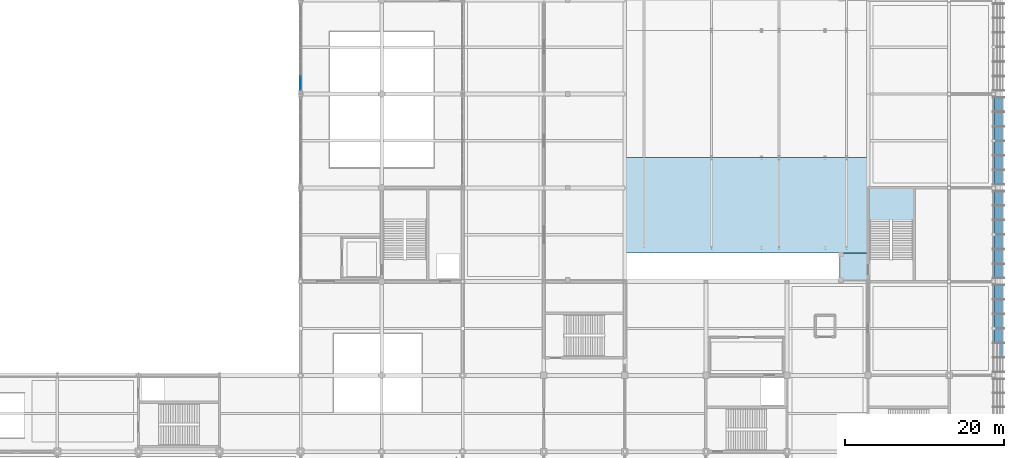
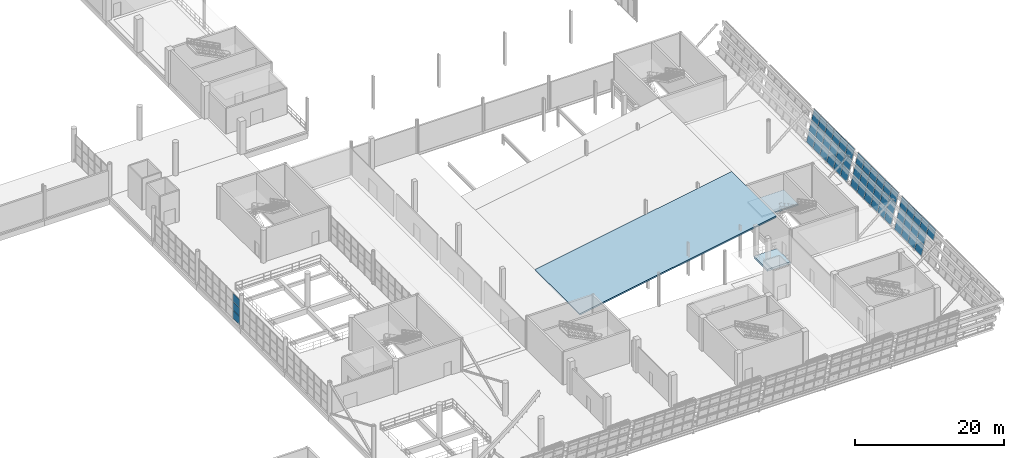
# One storey, part 116 of 175: 52 plates, 3 slabs, 5 elements without a shape of their own.
"""IFC4 building model written with IfcOpenShell, lengths in metres."""

from ifc_helpers import new_model, si_unit, direction, frame, origin, origin_2d, place, context, subcontext, project, spatial, polyline, rectangle, outline, extrude, material, layer, layer_set, type_object, element, aggregate, save


model = new_model("IFC4")

# Units and contexts
model_context = context("Model", 3, precision=1e-05, world=origin(), true_north=direction((0.0, 1.0)))
body_context = subcontext(model_context, "Body", "Model", "MODEL_VIEW")
ifc_project = project(units=[si_unit("LENGTHUNIT", "METRE"), si_unit("AREAUNIT", "SQUARE_METRE"), si_unit("VOLUMEUNIT", "CUBIC_METRE"), si_unit("PLANEANGLEUNIT", "RADIAN"), si_unit("MASSUNIT", "GRAM", prefix="KILO")], contexts=[model_context])

# Site, building, storey
site_placement = place(None, origin())
site = spatial("IfcSite", under=ifc_project, at=site_placement, CompositionType="ELEMENT")
building_placement = place(site_placement, origin())
building = spatial("IfcBuilding", under=site, at=building_placement, Name="Brelvane Convention Centre", CompositionType="ELEMENT")
storey_placement = place(building_placement, frame((0.0, 0.0, 5.39990234375)))
storey = spatial("IfcBuildingStorey", under=building, at=storey_placement, Name="L01", CompositionType="ELEMENT", Elevation=5.39990234375)

# Curtain wall, plates
ifc_material_1 = material(Name="Anodised Aluminium Alloy 6063-T6", Category="aluminium")
curtain_wall_type_1 = type_object("IfcCurtainWallType", Name="Curtain Wall CW-PLEN-E", PredefinedType="USERDEFINED", material=ifc_material_1)
curtain_wall_1_placement = place(storey_placement, origin())
curtain_wall_1 = element("IfcCurtainWall", 1, at=curtain_wall_1_placement, inside=storey, type_object=curtain_wall_type_1, Name="Curtain Wall CW-PLEN-E L01-HULL-E-L01-2", ObjectType="UNITISED", PredefinedType="USERDEFINED")
ifc_material_2 = material(Name="Double Glazed Low-E Laminated Unit")
ifc_layer_1 = layer(ifc_material_2, 0.031982421875)
ifc_layer_set_1 = layer_set([ifc_layer_1], Name="Double Glazed Low-E Laminated Unit")
plate_type_1 = type_object("IfcPlateType", Name="Curtain Panel CW-PG1", PredefinedType="CURTAIN_PANEL", material=ifc_layer_set_1)
plate_1_placement = place(storey_placement, frame((230.8134765625, 31.07080078125, 3.468505859375), z_axis=(-0.973587118463, 0.0, 0.22831583993), x_axis=(0.0, 1.0, 0.0)))
plate_1 = element("IfcPlate", 2, at=plate_1_placement, type_object=plate_type_1, Name="CW-PLEN-E panel 2.3", PredefinedType="CURTAIN_PANEL", context=body_context, shape_type="SweptSolid", body=[
    extrude(outline(polyline([(0.0, 0.0), (1.75830078125, 0.0), (1.75830078125, -1.6552933323207533), (0.0, -1.6552933323207533), (0.0, 0.0)])), origin(), (0.0, 0.0, -1.0), 0.031982421875),
])
plate_2_placement = place(storey_placement, frame((230.410888671875, 32.904052734375, 1.751708984375), z_axis=(-0.973579720105, 0.0, 0.228347385798), x_axis=(0.0, 1.0, 0.0)))
plate_2 = element("IfcPlate", 3, at=plate_2_placement, type_object=plate_type_1, Name="CW-PLEN-E panel 3.2", PredefinedType="CURTAIN_PANEL", context=body_context, shape_type="SweptSolid", body=[
    extrude(outline(polyline([(0.0, 0.0), (1.758544921875, 0.0), (1.758544921875, -1.6914162051852764), (0.0, -1.6914162051852764), (0.0, 0.0)])), origin(), (0.0, 0.0, -1.0), 0.031982421875),
])
plate_3_placement = place(storey_placement, frame((230.8134765625, 32.904052734375, 3.468505859375), z_axis=(-0.973587118463, 0.0, 0.22831583993), x_axis=(0.0, 1.0, 0.0)))
plate_3 = element("IfcPlate", 4, at=plate_3_placement, type_object=plate_type_1, Name="CW-PLEN-E panel 3.3", PredefinedType="CURTAIN_PANEL", context=body_context, shape_type="SweptSolid", body=[
    extrude(outline(polyline([(0.0, 0.0), (1.758544921875, 0.0), (1.758544921875, -1.6552933323207533), (0.0, -1.6552933323207533), (0.0, 0.0)])), origin(), (0.0, 0.0, -1.0), 0.031982421875),
])
plate_4_placement = place(storey_placement, frame((230.410888671875, 34.737548828125, 1.751708984375), z_axis=(-0.973579720105, 0.0, 0.228347385798), x_axis=(0.0, 1.0, 0.0)))
plate_4 = element("IfcPlate", 5, at=plate_4_placement, type_object=plate_type_1, Name="CW-PLEN-E panel 4.2", PredefinedType="CURTAIN_PANEL", context=body_context, shape_type="SweptSolid", body=[
    extrude(outline(polyline([(0.0, 0.0), (1.75830078125, 0.0), (1.75830078125, -1.6914162051852764), (0.0, -1.6914162051852764), (0.0, 0.0)])), origin(), (0.0, 0.0, -1.0), 0.031982421875),
])
plate_5_placement = place(storey_placement, frame((230.8134765625, 34.737548828125, 3.468505859375), z_axis=(-0.973587118463, 0.0, 0.22831583993), x_axis=(0.0, 1.0, 0.0)))
plate_5 = element("IfcPlate", 6, at=plate_5_placement, type_object=plate_type_1, Name="CW-PLEN-E panel 4.3", PredefinedType="CURTAIN_PANEL", context=body_context, shape_type="SweptSolid", body=[
    extrude(outline(polyline([(0.0, 0.0), (1.75830078125, 0.0), (1.75830078125, -1.6552933323207533), (0.0, -1.6552933323207533), (0.0, 0.0)])), origin(), (0.0, 0.0, -1.0), 0.031982421875),
])
plate_6_placement = place(storey_placement, frame((230.410888671875, 36.57080078125, 1.751708984375), z_axis=(-0.973579720105, 0.0, 0.228347385798), x_axis=(0.0, 1.0, 0.0)))
plate_6 = element("IfcPlate", 7, at=plate_6_placement, type_object=plate_type_1, Name="CW-PLEN-E panel 5.2", PredefinedType="CURTAIN_PANEL", context=body_context, shape_type="SweptSolid", body=[
    extrude(outline(polyline([(0.0, 0.0), (1.75830078125, 0.0), (1.75830078125, -1.6914162051852764), (0.0, -1.6914162051852764), (0.0, 0.0)])), origin(), (0.0, 0.0, -1.0), 0.031982421875),
])
plate_7_placement = place(storey_placement, frame((230.8134765625, 36.57080078125, 3.468505859375), z_axis=(-0.973587118463, 0.0, 0.22831583993), x_axis=(0.0, 1.0, 0.0)))
plate_7 = element("IfcPlate", 8, at=plate_7_placement, type_object=plate_type_1, Name="CW-PLEN-E panel 5.3", PredefinedType="CURTAIN_PANEL", context=body_context, shape_type="SweptSolid", body=[
    extrude(outline(polyline([(0.0, 0.0), (1.75830078125, 0.0), (1.75830078125, -1.6552933323207533), (0.0, -1.6552933323207533), (0.0, 0.0)])), origin(), (0.0, 0.0, -1.0), 0.031982421875),
])
plate_8_placement = place(storey_placement, frame((230.410888671875, 38.404052734375, 1.751708984375), z_axis=(-0.973579720105, 0.0, 0.228347385798), x_axis=(0.0, 1.0, 0.0)))
plate_8 = element("IfcPlate", 9, at=plate_8_placement, type_object=plate_type_1, Name="CW-PLEN-E panel 6.2", PredefinedType="CURTAIN_PANEL", context=body_context, shape_type="SweptSolid", body=[
    extrude(outline(polyline([(0.0, 0.0), (1.720947265625, 0.0), (1.720947265625, -1.6914162051852764), (0.0, -1.6914162051852764), (0.0, 0.0)])), origin(), (0.0, 0.0, -1.0), 0.031982421875),
])
plate_9_placement = place(storey_placement, frame((230.8134765625, 38.404052734375, 3.468505859375), z_axis=(-0.973587118463, 0.0, 0.22831583993), x_axis=(0.0, 1.0, 0.0)))
plate_9 = element("IfcPlate", 10, at=plate_9_placement, type_object=plate_type_1, Name="CW-PLEN-E panel 6.3", PredefinedType="CURTAIN_PANEL", context=body_context, shape_type="SweptSolid", body=[
    extrude(outline(polyline([(0.0, 0.0), (1.720947265625, 0.0), (1.720947265625, -1.6552933323207533), (0.0, -1.6552933323207533), (0.0, 0.0)])), origin(), (0.0, 0.0, -1.0), 0.031982421875),
])

curtain_wall_2_placement = place(storey_placement, origin())
curtain_wall_2 = element("IfcCurtainWall", 11, at=curtain_wall_2_placement, inside=storey, type_object=curtain_wall_type_1, Name="Curtain Wall CW-PLEN-E L01-HULL-E-L01-3", ObjectType="UNITISED", PredefinedType="USERDEFINED")
plate_10_placement = place(storey_placement, frame((230.410888671875, 41.074951171875, 1.751708984375), z_axis=(-0.973579720105, 0.0, 0.228347385798), x_axis=(0.0, 1.0, 0.0)))
plate_10 = element("IfcPlate", 12, at=plate_10_placement, type_object=plate_type_1, Name="CW-PLEN-E panel 1.2", PredefinedType="CURTAIN_PANEL", context=body_context, shape_type="SweptSolid", body=[
    extrude(outline(polyline([(0.0, 0.0), (1.720947265625, 0.0), (1.720947265625, -1.6914162051852764), (0.0, -1.6914162051852764), (0.0, 0.0)])), origin(), (0.0, 0.0, -1.0), 0.031982421875),
])
plate_11_placement = place(storey_placement, frame((230.8134765625, 41.074951171875, 3.468505859375), z_axis=(-0.973587118463, 0.0, 0.22831583993), x_axis=(0.0, 1.0, 0.0)))
plate_11 = element("IfcPlate", 13, at=plate_11_placement, type_object=plate_type_1, Name="CW-PLEN-E panel 1.3", PredefinedType="CURTAIN_PANEL", context=body_context, shape_type="SweptSolid", body=[
    extrude(outline(polyline([(0.0, 0.0), (1.720947265625, 0.0), (1.720947265625, -1.6552933323207533), (0.0, -1.6552933323207533), (0.0, 0.0)])), origin(), (0.0, 0.0, -1.0), 0.031982421875),
])
plate_12_placement = place(storey_placement, frame((230.410888671875, 42.870849609375, 1.751708984375), z_axis=(-0.973579720105, 0.0, 0.228347385798), x_axis=(0.0, 1.0, 0.0)))
plate_12 = element("IfcPlate", 14, at=plate_12_placement, type_object=plate_type_1, Name="CW-PLEN-E panel 2.2", PredefinedType="CURTAIN_PANEL", context=body_context, shape_type="SweptSolid", body=[
    extrude(outline(polyline([(0.0, 0.0), (1.75830078125, 0.0), (1.75830078125, -1.6914162051852764), (0.0, -1.6914162051852764), (0.0, 0.0)])), origin(), (0.0, 0.0, -1.0), 0.031982421875),
])
plate_13_placement = place(storey_placement, frame((230.8134765625, 42.870849609375, 3.468505859375), z_axis=(-0.973587118463, 0.0, 0.22831583993), x_axis=(0.0, 1.0, 0.0)))
plate_13 = element("IfcPlate", 15, at=plate_13_placement, type_object=plate_type_1, Name="CW-PLEN-E panel 2.3", PredefinedType="CURTAIN_PANEL", context=body_context, shape_type="SweptSolid", body=[
    extrude(outline(polyline([(0.0, 0.0), (1.75830078125, 0.0), (1.75830078125, -1.6552933323207533), (0.0, -1.6552933323207533), (0.0, 0.0)])), origin(), (0.0, 0.0, -1.0), 0.031982421875),
])
plate_14_placement = place(storey_placement, frame((230.410888671875, 44.7041015625, 1.751708984375), z_axis=(-0.973579720105, 0.0, 0.228347385798), x_axis=(0.0, 1.0, 0.0)))
plate_14 = element("IfcPlate", 16, at=plate_14_placement, type_object=plate_type_1, Name="CW-PLEN-E panel 3.2", PredefinedType="CURTAIN_PANEL", context=body_context, shape_type="SweptSolid", body=[
    extrude(outline(polyline([(0.0, 0.0), (1.75830078125, 0.0), (1.75830078125, -1.6914162051852764), (0.0, -1.6914162051852764), (0.0, 0.0)])), origin(), (0.0, 0.0, -1.0), 0.031982421875),
])
plate_15_placement = place(storey_placement, frame((230.8134765625, 44.7041015625, 3.468505859375), z_axis=(-0.973587118463, 0.0, 0.22831583993), x_axis=(0.0, 1.0, 0.0)))
plate_15 = element("IfcPlate", 17, at=plate_15_placement, type_object=plate_type_1, Name="CW-PLEN-E panel 3.3", PredefinedType="CURTAIN_PANEL", context=body_context, shape_type="SweptSolid", body=[
    extrude(outline(polyline([(0.0, 0.0), (1.75830078125, 0.0), (1.75830078125, -1.6552933323207533), (0.0, -1.6552933323207533), (0.0, 0.0)])), origin(), (0.0, 0.0, -1.0), 0.031982421875),
])
plate_16_placement = place(storey_placement, frame((230.410888671875, 46.53759765625, 1.751708984375), z_axis=(-0.973579720105, 0.0, 0.228347385798), x_axis=(0.0, 1.0, 0.0)))
plate_16 = element("IfcPlate", 18, at=plate_16_placement, type_object=plate_type_1, Name="CW-PLEN-E panel 4.2", PredefinedType="CURTAIN_PANEL", context=body_context, shape_type="SweptSolid", body=[
    extrude(outline(polyline([(0.0, 0.0), (1.75830078125, 0.0), (1.75830078125, -1.6914162051852764), (0.0, -1.6914162051852764), (0.0, 0.0)])), origin(), (0.0, 0.0, -1.0), 0.031982421875),
])
plate_17_placement = place(storey_placement, frame((230.8134765625, 46.53759765625, 3.468505859375), z_axis=(-0.973587118463, 0.0, 0.22831583993), x_axis=(0.0, 1.0, 0.0)))
plate_17 = element("IfcPlate", 19, at=plate_17_placement, type_object=plate_type_1, Name="CW-PLEN-E panel 4.3", PredefinedType="CURTAIN_PANEL", context=body_context, shape_type="SweptSolid", body=[
    extrude(outline(polyline([(0.0, 0.0), (1.75830078125, 0.0), (1.75830078125, -1.6552933323207533), (0.0, -1.6552933323207533), (0.0, 0.0)])), origin(), (0.0, 0.0, -1.0), 0.031982421875),
])
plate_18_placement = place(storey_placement, frame((230.410888671875, 48.370849609375, 1.751708984375), z_axis=(-0.973579720105, 0.0, 0.228347385798), x_axis=(0.0, 1.0, 0.0)))
plate_18 = element("IfcPlate", 20, at=plate_18_placement, type_object=plate_type_1, Name="CW-PLEN-E panel 5.2", PredefinedType="CURTAIN_PANEL", context=body_context, shape_type="SweptSolid", body=[
    extrude(outline(polyline([(0.0, 0.0), (1.75830078125, 0.0), (1.75830078125, -1.6914162051852764), (0.0, -1.6914162051852764), (0.0, 0.0)])), origin(), (0.0, 0.0, -1.0), 0.031982421875),
])
plate_19_placement = place(storey_placement, frame((230.8134765625, 48.370849609375, 3.468505859375), z_axis=(-0.973587118463, 0.0, 0.22831583993), x_axis=(0.0, 1.0, 0.0)))
plate_19 = element("IfcPlate", 21, at=plate_19_placement, type_object=plate_type_1, Name="CW-PLEN-E panel 5.3", PredefinedType="CURTAIN_PANEL", context=body_context, shape_type="SweptSolid", body=[
    extrude(outline(polyline([(0.0, 0.0), (1.75830078125, 0.0), (1.75830078125, -1.6552933323207533), (0.0, -1.6552933323207533), (0.0, 0.0)])), origin(), (0.0, 0.0, -1.0), 0.031982421875),
])
plate_20_placement = place(storey_placement, frame((230.410888671875, 50.2041015625, 1.751708984375), z_axis=(-0.973579720105, 0.0, 0.228347385798), x_axis=(0.0, 1.0, 0.0)))
plate_20 = element("IfcPlate", 22, at=plate_20_placement, type_object=plate_type_1, Name="CW-PLEN-E panel 6.2", PredefinedType="CURTAIN_PANEL", context=body_context, shape_type="SweptSolid", body=[
    extrude(outline(polyline([(0.0, 0.0), (1.720947265625, 0.0), (1.720947265625, -1.6914162051852764), (0.0, -1.6914162051852764), (0.0, 0.0)])), origin(), (0.0, 0.0, -1.0), 0.031982421875),
])
plate_21_placement = place(storey_placement, frame((230.8134765625, 50.2041015625, 3.468505859375), z_axis=(-0.973587118463, 0.0, 0.22831583993), x_axis=(0.0, 1.0, 0.0)))
plate_21 = element("IfcPlate", 23, at=plate_21_placement, type_object=plate_type_1, Name="CW-PLEN-E panel 6.3", PredefinedType="CURTAIN_PANEL", context=body_context, shape_type="SweptSolid", body=[
    extrude(outline(polyline([(0.0, 0.0), (1.720947265625, 0.0), (1.720947265625, -1.6552933323207533), (0.0, -1.6552933323207533), (0.0, 0.0)])), origin(), (0.0, 0.0, -1.0), 0.031982421875),
])

curtain_wall_3_placement = place(storey_placement, origin())
curtain_wall_3 = element("IfcCurtainWall", 24, at=curtain_wall_3_placement, inside=storey, type_object=curtain_wall_type_1, Name="Curtain Wall CW-PLEN-E L01-HULL-E-L01-4", ObjectType="UNITISED", PredefinedType="USERDEFINED")
plate_22_placement = place(storey_placement, frame((230.410888671875, 52.875, 1.751708984375), z_axis=(-0.973579720105, 0.0, 0.228347385798), x_axis=(0.0, 1.0, 0.0)))
plate_22 = element("IfcPlate", 25, at=plate_22_placement, type_object=plate_type_1, Name="CW-PLEN-E panel 1.2", PredefinedType="CURTAIN_PANEL", context=body_context, shape_type="SweptSolid", body=[
    extrude(outline(polyline([(0.0, 0.0), (1.720947265625, 0.0), (1.720947265625, -1.6914162051852764), (0.0, -1.6914162051852764), (0.0, 0.0)])), origin(), (0.0, 0.0, -1.0), 0.031982421875),
])
plate_23_placement = place(storey_placement, frame((230.8134765625, 52.875, 3.468505859375), z_axis=(-0.973587118463, 0.0, 0.22831583993), x_axis=(0.0, 1.0, 0.0)))
plate_23 = element("IfcPlate", 26, at=plate_23_placement, type_object=plate_type_1, Name="CW-PLEN-E panel 1.3", PredefinedType="CURTAIN_PANEL", context=body_context, shape_type="SweptSolid", body=[
    extrude(outline(polyline([(0.0, 0.0), (1.720947265625, 0.0), (1.720947265625, -1.6552933323207533), (0.0, -1.6552933323207533), (0.0, 0.0)])), origin(), (0.0, 0.0, -1.0), 0.031982421875),
])
plate_24_placement = place(storey_placement, frame((230.410888671875, 54.6708984375, 1.751708984375), z_axis=(-0.973579720105, 0.0, 0.228347385798), x_axis=(0.0, 1.0, 0.0)))
plate_24 = element("IfcPlate", 27, at=plate_24_placement, type_object=plate_type_1, Name="CW-PLEN-E panel 2.2", PredefinedType="CURTAIN_PANEL", context=body_context, shape_type="SweptSolid", body=[
    extrude(outline(polyline([(0.0, 0.0), (1.75830078125, 0.0), (1.75830078125, -1.6914162051852764), (0.0, -1.6914162051852764), (0.0, 0.0)])), origin(), (0.0, 0.0, -1.0), 0.031982421875),
])
plate_25_placement = place(storey_placement, frame((230.8134765625, 54.6708984375, 3.468505859375), z_axis=(-0.973587118463, 0.0, 0.22831583993), x_axis=(0.0, 1.0, 0.0)))
plate_25 = element("IfcPlate", 28, at=plate_25_placement, type_object=plate_type_1, Name="CW-PLEN-E panel 2.3", PredefinedType="CURTAIN_PANEL", context=body_context, shape_type="SweptSolid", body=[
    extrude(outline(polyline([(0.0, 0.0), (1.75830078125, 0.0), (1.75830078125, -1.6552933323207533), (0.0, -1.6552933323207533), (0.0, 0.0)])), origin(), (0.0, 0.0, -1.0), 0.031982421875),
])
plate_26_placement = place(storey_placement, frame((230.410888671875, 56.504150390625, 1.751708984375), z_axis=(-0.973579720105, 0.0, 0.228347385798), x_axis=(0.0, 1.0, 0.0)))
plate_26 = element("IfcPlate", 29, at=plate_26_placement, type_object=plate_type_1, Name="CW-PLEN-E panel 3.2", PredefinedType="CURTAIN_PANEL", context=body_context, shape_type="SweptSolid", body=[
    extrude(outline(polyline([(0.0, 0.0), (1.75830078125, 0.0), (1.75830078125, -1.6914162051852764), (0.0, -1.6914162051852764), (0.0, 0.0)])), origin(), (0.0, 0.0, -1.0), 0.031982421875),
])
plate_27_placement = place(storey_placement, frame((230.8134765625, 56.504150390625, 3.468505859375), z_axis=(-0.973587118463, 0.0, 0.22831583993), x_axis=(0.0, 1.0, 0.0)))
plate_27 = element("IfcPlate", 30, at=plate_27_placement, type_object=plate_type_1, Name="CW-PLEN-E panel 3.3", PredefinedType="CURTAIN_PANEL", context=body_context, shape_type="SweptSolid", body=[
    extrude(outline(polyline([(0.0, 0.0), (1.75830078125, 0.0), (1.75830078125, -1.6552933323207533), (0.0, -1.6552933323207533), (0.0, 0.0)])), origin(), (0.0, 0.0, -1.0), 0.031982421875),
])
plate_28_placement = place(storey_placement, frame((230.410888671875, 58.33740234375, 1.751708984375), z_axis=(-0.973579720105, 0.0, 0.228347385798), x_axis=(0.0, 1.0, 0.0)))
plate_28 = element("IfcPlate", 31, at=plate_28_placement, type_object=plate_type_1, Name="CW-PLEN-E panel 4.2", PredefinedType="CURTAIN_PANEL", context=body_context, shape_type="SweptSolid", body=[
    extrude(outline(polyline([(0.0, 0.0), (1.758544921875, 0.0), (1.758544921875, -1.6914162051852764), (0.0, -1.6914162051852764), (0.0, 0.0)])), origin(), (0.0, 0.0, -1.0), 0.031982421875),
])
plate_29_placement = place(storey_placement, frame((230.8134765625, 58.33740234375, 3.468505859375), z_axis=(-0.973587118463, 0.0, 0.22831583993), x_axis=(0.0, 1.0, 0.0)))
plate_29 = element("IfcPlate", 32, at=plate_29_placement, type_object=plate_type_1, Name="CW-PLEN-E panel 4.3", PredefinedType="CURTAIN_PANEL", context=body_context, shape_type="SweptSolid", body=[
    extrude(outline(polyline([(0.0, 0.0), (1.758544921875, 0.0), (1.758544921875, -1.6552933323207533), (0.0, -1.6552933323207533), (0.0, 0.0)])), origin(), (0.0, 0.0, -1.0), 0.031982421875),
])
plate_30_placement = place(storey_placement, frame((230.410888671875, 60.1708984375, 1.751708984375), z_axis=(-0.973579720105, 0.0, 0.228347385798), x_axis=(0.0, 1.0, 0.0)))
plate_30 = element("IfcPlate", 33, at=plate_30_placement, type_object=plate_type_1, Name="CW-PLEN-E panel 5.2", PredefinedType="CURTAIN_PANEL", context=body_context, shape_type="SweptSolid", body=[
    extrude(outline(polyline([(0.0, 0.0), (1.75830078125, 0.0), (1.75830078125, -1.6914162051852764), (0.0, -1.6914162051852764), (0.0, 0.0)])), origin(), (0.0, 0.0, -1.0), 0.031982421875),
])
plate_31_placement = place(storey_placement, frame((230.8134765625, 60.1708984375, 3.468505859375), z_axis=(-0.973587118463, 0.0, 0.22831583993), x_axis=(0.0, 1.0, 0.0)))
plate_31 = element("IfcPlate", 34, at=plate_31_placement, type_object=plate_type_1, Name="CW-PLEN-E panel 5.3", PredefinedType="CURTAIN_PANEL", context=body_context, shape_type="SweptSolid", body=[
    extrude(outline(polyline([(0.0, 0.0), (1.75830078125, 0.0), (1.75830078125, -1.6552933323207533), (0.0, -1.6552933323207533), (0.0, 0.0)])), origin(), (0.0, 0.0, -1.0), 0.031982421875),
])
plate_32_placement = place(storey_placement, frame((230.410888671875, 62.004150390625, 1.751708984375), z_axis=(-0.973579720105, 0.0, 0.228347385798), x_axis=(0.0, 1.0, 0.0)))
plate_32 = element("IfcPlate", 35, at=plate_32_placement, type_object=plate_type_1, Name="CW-PLEN-E panel 6.2", PredefinedType="CURTAIN_PANEL", context=body_context, shape_type="SweptSolid", body=[
    extrude(outline(polyline([(0.0, 0.0), (1.720947265625, 0.0), (1.720947265625, -1.6914162051852764), (0.0, -1.6914162051852764), (0.0, 0.0)])), origin(), (0.0, 0.0, -1.0), 0.031982421875),
])
plate_33_placement = place(storey_placement, frame((230.8134765625, 62.004150390625, 3.468505859375), z_axis=(-0.973587118463, 0.0, 0.22831583993), x_axis=(0.0, 1.0, 0.0)))
plate_33 = element("IfcPlate", 36, at=plate_33_placement, type_object=plate_type_1, Name="CW-PLEN-E panel 6.3", PredefinedType="CURTAIN_PANEL", context=body_context, shape_type="SweptSolid", body=[
    extrude(outline(polyline([(0.0, 0.0), (1.720947265625, 0.0), (1.720947265625, -1.6552933323207533), (0.0, -1.6552933323207533), (0.0, 0.0)])), origin(), (0.0, 0.0, -1.0), 0.031982421875),
])

ifc_material_3 = material(Name="Anodised Aluminium Alloy 6063-T6", Category="aluminium")
curtain_wall_type_2 = type_object("IfcCurtainWallType", Name="Curtain Wall CW-CONC", PredefinedType="USERDEFINED", material=ifc_material_3)
curtain_wall_4_placement = place(storey_placement, origin())
curtain_wall_4 = element("IfcCurtainWall", 37, at=curtain_wall_4_placement, inside=storey, type_object=curtain_wall_type_2, Name="Curtain Wall CW-CONC L01-GAL-ATRIUM-W-3", ObjectType="UNITISED", PredefinedType="USERDEFINED")
plate_34_placement = place(storey_placement, frame((142.800048828125, 65.574462890625, 0.06005859375), z_axis=(0.0, 0.0, 1.0), x_axis=(0.0, 1.0, 0.0)))
plate_34 = element("IfcPlate", 38, at=plate_34_placement, type_object=plate_type_1, Name="CW-CONC panel 1.1", PredefinedType="CURTAIN_PANEL", context=body_context, shape_type="SweptSolid", body=[
    extrude(rectangle(XDim=1.71923828125, YDim=0.031982421875, at=origin_2d()), origin(), (0.0, 0.0, 1.0), 1.32666015625),
])
plate_35_placement = place(storey_placement, frame((142.800048828125, 65.574462890625, 1.44677734375), z_axis=(0.0, 0.0, 1.0), x_axis=(0.0, 1.0, 0.0)))
plate_35 = element("IfcPlate", 39, at=plate_35_placement, type_object=plate_type_1, Name="CW-CONC panel 1.2", PredefinedType="CURTAIN_PANEL", context=body_context, shape_type="SweptSolid", body=[
    extrude(rectangle(XDim=1.71923828125, YDim=0.031982421875, at=origin_2d()), origin(), (0.0, 0.0, 1.0), 1.356689453125),
])
plate_36_placement = place(storey_placement, frame((142.800048828125, 65.574462890625, 2.863525390625), z_axis=(0.0, 0.0, 1.0), x_axis=(0.0, 1.0, 0.0)))
plate_36 = element("IfcPlate", 40, at=plate_36_placement, type_object=plate_type_1, Name="CW-CONC panel 1.3", PredefinedType="CURTAIN_PANEL", context=body_context, shape_type="SweptSolid", body=[
    extrude(rectangle(XDim=1.71923828125, YDim=0.031982421875, at=origin_2d()), origin(), (0.0, 0.0, 1.0), 1.32666015625),
])
aggregate(curtain_wall_4, [plate_34, plate_35, plate_36])

# Plate
ifc_material_4 = material(Name="Patinated Copper-Bronze Alloy C22000")
ifc_layer_2 = layer(ifc_material_4, 0.048095703125)
ifc_layer_set_2 = layer_set([ifc_layer_2], Name="Patinated Copper-Bronze Alloy C22000")
plate_type_2 = type_object("IfcPlateType", Name="Curtain Panel CW-PS1", PredefinedType="CURTAIN_PANEL", material=ifc_layer_set_2)
plate_37_placement = place(storey_placement, frame((230.016357421875, 32.904052734375, 0.070068359375), z_axis=(-0.973562020395, 0.0, 0.228422836957), x_axis=(0.0, 1.0, 0.0)))
plate_37 = element("IfcPlate", 41, at=plate_37_placement, type_object=plate_type_2, Name="CW-PLEN-E panel 3.1", PredefinedType="CURTAIN_PANEL", context=body_context, shape_type="SweptSolid", body=[
    extrude(outline(polyline([(0.0, 0.0), (1.758544921875, 0.0), (1.758544921875, -1.6555867756585223), (0.0, -1.6555867756585223), (0.0, 0.0)])), origin(), (0.0, 0.0, -1.0), 0.031982421875),
])

plate_38_placement = place(storey_placement, frame((230.016357421875, 34.737548828125, 0.070068359375), z_axis=(-0.973562020395, 0.0, 0.228422836957), x_axis=(0.0, 1.0, 0.0)))
plate_38 = element("IfcPlate", 42, at=plate_38_placement, type_object=plate_type_2, Name="CW-PLEN-E panel 4.1", PredefinedType="CURTAIN_PANEL", context=body_context, shape_type="SweptSolid", body=[
    extrude(outline(polyline([(0.0, 0.0), (1.75830078125, 0.0), (1.75830078125, -1.6555867756585223), (0.0, -1.6555867756585223), (0.0, 0.0)])), origin(), (0.0, 0.0, -1.0), 0.031982421875),
])

plate_39_placement = place(storey_placement, frame((230.016357421875, 36.57080078125, 0.070068359375), z_axis=(-0.973562020395, 0.0, 0.228422836957), x_axis=(0.0, 1.0, 0.0)))
plate_39 = element("IfcPlate", 43, at=plate_39_placement, type_object=plate_type_2, Name="CW-PLEN-E panel 5.1", PredefinedType="CURTAIN_PANEL", context=body_context, shape_type="SweptSolid", body=[
    extrude(outline(polyline([(0.0, 0.0), (1.75830078125, 0.0), (1.75830078125, -1.6555867756585223), (0.0, -1.6555867756585223), (0.0, 0.0)])), origin(), (0.0, 0.0, -1.0), 0.031982421875),
])

plate_40_placement = place(storey_placement, frame((230.016357421875, 38.404052734375, 0.070068359375), z_axis=(-0.973562020395, 0.0, 0.228422836957), x_axis=(0.0, 1.0, 0.0)))
plate_40 = element("IfcPlate", 44, at=plate_40_placement, type_object=plate_type_2, Name="CW-PLEN-E panel 6.1", PredefinedType="CURTAIN_PANEL", context=body_context, shape_type="SweptSolid", body=[
    extrude(outline(polyline([(0.0, 0.0), (1.720947265625, 0.0), (1.720947265625, -1.6555867756585223), (0.0, -1.6555867756585223), (0.0, 0.0)])), origin(), (0.0, 0.0, -1.0), 0.031982421875),
])

aggregate(curtain_wall_1, [plate_1, plate_37, plate_2, plate_3, plate_38, plate_4, plate_5, plate_39, plate_6, plate_7, plate_40, plate_8, plate_9])

plate_41_placement = place(storey_placement, frame((230.016357421875, 41.074951171875, 0.070068359375), z_axis=(-0.973562020395, 0.0, 0.228422836957), x_axis=(0.0, 1.0, 0.0)))
plate_41 = element("IfcPlate", 45, at=plate_41_placement, type_object=plate_type_2, Name="CW-PLEN-E panel 1.1", PredefinedType="CURTAIN_PANEL", context=body_context, shape_type="SweptSolid", body=[
    extrude(outline(polyline([(0.0, 0.0), (1.720947265625, 0.0), (1.720947265625, -1.6555867756585223), (0.0, -1.6555867756585223), (0.0, 0.0)])), origin(), (0.0, 0.0, -1.0), 0.031982421875),
])

plate_42_placement = place(storey_placement, frame((230.016357421875, 42.870849609375, 0.070068359375), z_axis=(-0.973562020395, 0.0, 0.228422836957), x_axis=(0.0, 1.0, 0.0)))
plate_42 = element("IfcPlate", 46, at=plate_42_placement, type_object=plate_type_2, Name="CW-PLEN-E panel 2.1", PredefinedType="CURTAIN_PANEL", context=body_context, shape_type="SweptSolid", body=[
    extrude(outline(polyline([(0.0, 0.0), (1.75830078125, 0.0), (1.75830078125, -1.6555867756585223), (0.0, -1.6555867756585223), (0.0, 0.0)])), origin(), (0.0, 0.0, -1.0), 0.031982421875),
])

plate_43_placement = place(storey_placement, frame((230.016357421875, 44.7041015625, 0.070068359375), z_axis=(-0.973562020395, 0.0, 0.228422836957), x_axis=(0.0, 1.0, 0.0)))
plate_43 = element("IfcPlate", 47, at=plate_43_placement, type_object=plate_type_2, Name="CW-PLEN-E panel 3.1", PredefinedType="CURTAIN_PANEL", context=body_context, shape_type="SweptSolid", body=[
    extrude(outline(polyline([(0.0, 0.0), (1.75830078125, 0.0), (1.75830078125, -1.6555867756585223), (0.0, -1.6555867756585223), (0.0, 0.0)])), origin(), (0.0, 0.0, -1.0), 0.031982421875),
])

plate_44_placement = place(storey_placement, frame((230.016357421875, 46.53759765625, 0.070068359375), z_axis=(-0.973562020395, 0.0, 0.228422836957), x_axis=(0.0, 1.0, 0.0)))
plate_44 = element("IfcPlate", 48, at=plate_44_placement, type_object=plate_type_2, Name="CW-PLEN-E panel 4.1", PredefinedType="CURTAIN_PANEL", context=body_context, shape_type="SweptSolid", body=[
    extrude(outline(polyline([(0.0, 0.0), (1.75830078125, 0.0), (1.75830078125, -1.6555867756585223), (0.0, -1.6555867756585223), (0.0, 0.0)])), origin(), (0.0, 0.0, -1.0), 0.031982421875),
])

plate_45_placement = place(storey_placement, frame((230.016357421875, 48.370849609375, 0.070068359375), z_axis=(-0.973562020395, 0.0, 0.228422836957), x_axis=(0.0, 1.0, 0.0)))
plate_45 = element("IfcPlate", 49, at=plate_45_placement, type_object=plate_type_2, Name="CW-PLEN-E panel 5.1", PredefinedType="CURTAIN_PANEL", context=body_context, shape_type="SweptSolid", body=[
    extrude(outline(polyline([(0.0, 0.0), (1.75830078125, 0.0), (1.75830078125, -1.6555867756585223), (0.0, -1.6555867756585223), (0.0, 0.0)])), origin(), (0.0, 0.0, -1.0), 0.031982421875),
])

plate_46_placement = place(storey_placement, frame((230.016357421875, 50.2041015625, 0.070068359375), z_axis=(-0.973562020395, 0.0, 0.228422836957), x_axis=(0.0, 1.0, 0.0)))
plate_46 = element("IfcPlate", 50, at=plate_46_placement, type_object=plate_type_2, Name="CW-PLEN-E panel 6.1", PredefinedType="CURTAIN_PANEL", context=body_context, shape_type="SweptSolid", body=[
    extrude(outline(polyline([(0.0, 0.0), (1.720947265625, 0.0), (1.720947265625, -1.6555867756585223), (0.0, -1.6555867756585223), (0.0, 0.0)])), origin(), (0.0, 0.0, -1.0), 0.031982421875),
])

aggregate(curtain_wall_2, [plate_41, plate_10, plate_11, plate_42, plate_12, plate_13, plate_43, plate_14, plate_15, plate_44, plate_16, plate_17, plate_45, plate_18, plate_19, plate_46, plate_20, plate_21])

plate_47_placement = place(storey_placement, frame((230.016357421875, 52.875, 0.070068359375), z_axis=(-0.973562020395, 0.0, 0.228422836957), x_axis=(0.0, 1.0, 0.0)))
plate_47 = element("IfcPlate", 51, at=plate_47_placement, type_object=plate_type_2, Name="CW-PLEN-E panel 1.1", PredefinedType="CURTAIN_PANEL", context=body_context, shape_type="SweptSolid", body=[
    extrude(outline(polyline([(0.0, 0.0), (1.720947265625, 0.0), (1.720947265625, -1.6555867756585223), (0.0, -1.6555867756585223), (0.0, 0.0)])), origin(), (0.0, 0.0, -1.0), 0.031982421875),
])

plate_48_placement = place(storey_placement, frame((230.016357421875, 54.6708984375, 0.070068359375), z_axis=(-0.973562020395, 0.0, 0.228422836957), x_axis=(0.0, 1.0, 0.0)))
plate_48 = element("IfcPlate", 52, at=plate_48_placement, type_object=plate_type_2, Name="CW-PLEN-E panel 2.1", PredefinedType="CURTAIN_PANEL", context=body_context, shape_type="SweptSolid", body=[
    extrude(outline(polyline([(0.0, 0.0), (1.75830078125, 0.0), (1.75830078125, -1.6555867756585223), (0.0, -1.6555867756585223), (0.0, 0.0)])), origin(), (0.0, 0.0, -1.0), 0.031982421875),
])

plate_49_placement = place(storey_placement, frame((230.016357421875, 56.504150390625, 0.070068359375), z_axis=(-0.973562020395, 0.0, 0.228422836957), x_axis=(0.0, 1.0, 0.0)))
plate_49 = element("IfcPlate", 53, at=plate_49_placement, type_object=plate_type_2, Name="CW-PLEN-E panel 3.1", PredefinedType="CURTAIN_PANEL", context=body_context, shape_type="SweptSolid", body=[
    extrude(outline(polyline([(0.0, 0.0), (1.75830078125, 0.0), (1.75830078125, -1.6555867756585223), (0.0, -1.6555867756585223), (0.0, 0.0)])), origin(), (0.0, 0.0, -1.0), 0.031982421875),
])

plate_50_placement = place(storey_placement, frame((230.016357421875, 58.33740234375, 0.070068359375), z_axis=(-0.973562020395, 0.0, 0.228422836957), x_axis=(0.0, 1.0, 0.0)))
plate_50 = element("IfcPlate", 54, at=plate_50_placement, type_object=plate_type_2, Name="CW-PLEN-E panel 4.1", PredefinedType="CURTAIN_PANEL", context=body_context, shape_type="SweptSolid", body=[
    extrude(outline(polyline([(0.0, 0.0), (1.758544921875, 0.0), (1.758544921875, -1.6555867756585223), (0.0, -1.6555867756585223), (0.0, 0.0)])), origin(), (0.0, 0.0, -1.0), 0.031982421875),
])

plate_51_placement = place(storey_placement, frame((230.016357421875, 60.1708984375, 0.070068359375), z_axis=(-0.973562020395, 0.0, 0.228422836957), x_axis=(0.0, 1.0, 0.0)))
plate_51 = element("IfcPlate", 55, at=plate_51_placement, type_object=plate_type_2, Name="CW-PLEN-E panel 5.1", PredefinedType="CURTAIN_PANEL", context=body_context, shape_type="SweptSolid", body=[
    extrude(outline(polyline([(0.0, 0.0), (1.75830078125, 0.0), (1.75830078125, -1.6555867756585223), (0.0, -1.6555867756585223), (0.0, 0.0)])), origin(), (0.0, 0.0, -1.0), 0.031982421875),
])

plate_52_placement = place(storey_placement, frame((230.016357421875, 62.004150390625, 0.070068359375), z_axis=(-0.973562020395, 0.0, 0.228422836957), x_axis=(0.0, 1.0, 0.0)))
plate_52 = element("IfcPlate", 56, at=plate_52_placement, type_object=plate_type_2, Name="CW-PLEN-E panel 6.1", PredefinedType="CURTAIN_PANEL", context=body_context, shape_type="SweptSolid", body=[
    extrude(outline(polyline([(0.0, 0.0), (1.720947265625, 0.0), (1.720947265625, -1.6555867756585223), (0.0, -1.6555867756585223), (0.0, 0.0)])), origin(), (0.0, 0.0, -1.0), 0.031982421875),
])

aggregate(curtain_wall_3, [plate_47, plate_22, plate_23, plate_48, plate_24, plate_25, plate_49, plate_26, plate_27, plate_50, plate_28, plate_29, plate_51, plate_30, plate_31, plate_52, plate_32, plate_33])

# Stair, slab
ifc_material_5 = material(Name="Concrete M40", Category="concrete")
stair_type = type_object("IfcStairType", Name="Exit Stair ST-ASM", PredefinedType="HALF_TURN_STAIR", material=ifc_material_5)
stair_placement = place(storey_placement, origin())
stair = element("IfcStair", 57, at=stair_placement, inside=storey, type_object=stair_type, Name="Exit Stair ST-15 (L01 to L02)", PredefinedType="HALF_TURN_STAIR")
ifc_material_6 = material(Name="Concrete M40", Category="concrete")
ifc_layer_3 = layer(ifc_material_6, 0.219970703125)
ifc_layer_set_3 = layer_set([ifc_layer_3], Name="Concrete M40")
slab_type_1 = type_object("IfcSlabType", Name="Stair Landing SL-LND-220", PredefinedType="LANDING", material=ifc_layer_set_3)
slab_1_placement = place(storey_placement, frame((0.0, 0.0, 2.47998046875)))
slab_1 = element("IfcSlab", 58, at=slab_1_placement, type_object=slab_type_1, Name="Stair ST-15 L01 Half Landing", PredefinedType="LANDING", context=body_context, shape_type="SweptSolid", body=[
    extrude(outline(polyline([(214.280029296875, 48.419921875), (219.919921875, 48.419921875), (219.919921875, 52.320068359375), (214.280029296875, 52.320068359375), (214.280029296875, 48.419921875)])), origin(), (0.0, 0.0, 1.0), 0.22021484375),
])
aggregate(stair, [slab_1])

# Slabs
ifc_material_7 = material(Name="Concrete M40", Category="concrete")
ifc_layer_4 = layer(ifc_material_7, 0.320068359375)
ifc_layer_set_4 = layer_set([ifc_layer_4], Name="Concrete M40")
slab_type_2 = type_object("IfcSlabType", Name="Structural Slab SL-FLR-320", PredefinedType="FLOOR", material=ifc_layer_set_4)
slab_2_placement = place(storey_placement, frame((0.0, 0.0, -0.31982421875)))
element("IfcSlab", 59, at=slab_2_placement, inside=storey, type_object=slab_type_2, Name="L01 Floor Slab PLEN-VOM-S", PredefinedType="FLOOR", context=body_context, shape_type="SweptSolid", body=[
    extrude(outline(polyline([(210.60009765625, 40.60009765625), (214.199951171875, 40.60009765625), (214.199951171875, 44.199951171875), (210.60009765625, 44.199951171875), (210.60009765625, 40.60009765625)])), origin(), (0.0, 0.0, 1.0), 0.31982421875),
])
ifc_material_8 = material(Name="Concrete M40", Category="concrete")
ifc_layer_5 = layer(ifc_material_8, 0.239990234375)
ifc_layer_set_5 = layer_set([ifc_layer_5], Name="Concrete M40")
slab_type_3 = type_object("IfcSlabType", Name="Structural Slab SL-TIER-240", PredefinedType="USERDEFINED", material=ifc_layer_set_5)
slab_3_placement = place(storey_placement, frame((183.60009765625, 44.199951171875, 0.0), z_axis=(-0.173715630584, 0.0, 0.984795856861), x_axis=(0.984795856861, 0.0, 0.173715630584)))
element("IfcSlab", 60, at=slab_3_placement, inside=storey, type_object=slab_type_3, Name="Plenary Hall Lower Raked Seating Tier S", ObjectType="SEATING TIER", PredefinedType="USERDEFINED", context=body_context, shape_type="SweptSolid", body=[
    extrude(outline(polyline([(0.0, 0.0), (30.970885780547867, 0.0), (30.970885780547867, 12.0), (0.0, 12.0), (0.0, 0.0)])), origin(), (0.0, 0.0, -1.0), 0.239990234375),
])

save(model, "model.ifc")
